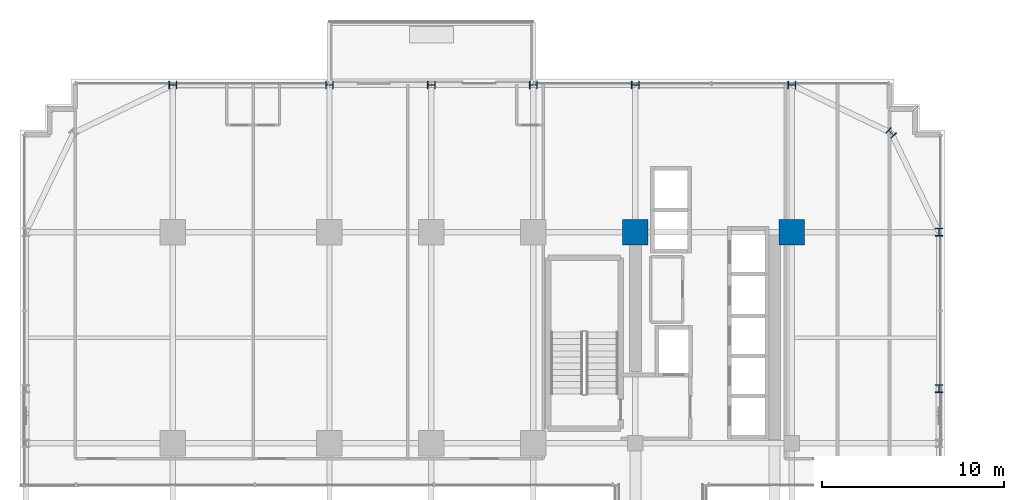
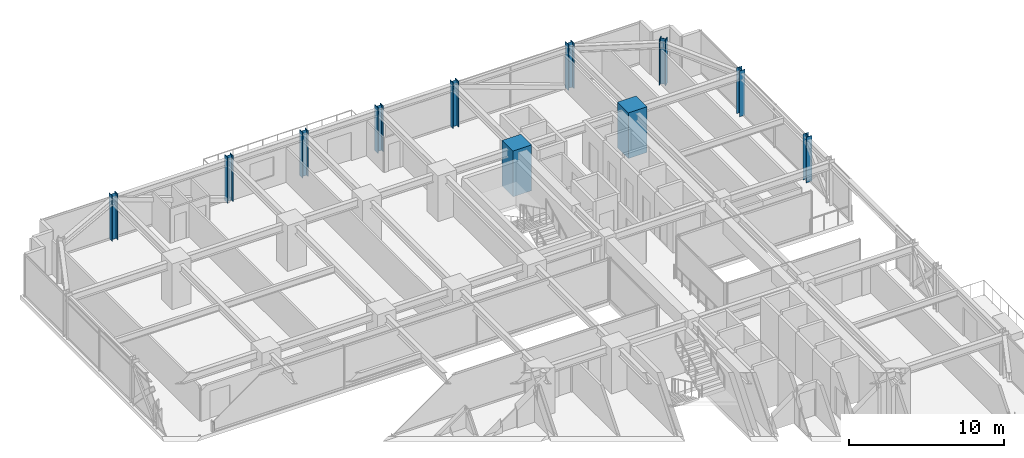
# One storey, part 2 of 47: 11 columns.
"""IFC4 building model written with IfcOpenShell, lengths in metres."""

from ifc_helpers import new_model, si_unit, direction, frame, origin, origin_2d, place, context, subcontext, project, spatial, rectangle, i_section, extrude, source, transform, mapped, material, material_profile, profile_set, type_object, element, save


model = new_model("IFC4")

# Units and contexts
model_context = context("Model", 3, precision=1e-05, world=origin(), true_north=direction((0.0, 1.0)))
body_context = subcontext(model_context, "Body", "Model", "MODEL_VIEW")
ifc_project = project(units=[si_unit("LENGTHUNIT", "METRE"), si_unit("AREAUNIT", "SQUARE_METRE"), si_unit("VOLUMEUNIT", "CUBIC_METRE"), si_unit("PLANEANGLEUNIT", "RADIAN"), si_unit("MASSUNIT", "GRAM", prefix="KILO")], contexts=[model_context])

# Site, building, storey
site_placement = place(None, origin())
site = spatial("IfcSite", under=ifc_project, at=site_placement, CompositionType="ELEMENT")
building_placement = place(site_placement, origin())
building = spatial("IfcBuilding", under=site, at=building_placement, Name="Nahalor Promenade Grand Hotel", CompositionType="ELEMENT")
storey_placement = place(building_placement, frame((0.0, 0.0, 68.89990234375)))
storey = spatial("IfcBuildingStorey", under=building, at=storey_placement, Name="L16", CompositionType="ELEMENT", Elevation=68.89990234375)

# Columns
ifc_material_1 = material(Name="Concrete B-70 (C60/75)", Category="concrete")
ifc_material_profile_1 = material_profile(ifc_material_1, rectangle(XDim=1.4, YDim=1.4, at=origin_2d()), Name="RC 1400x1400")
ifc_profile_set_1 = profile_set([ifc_material_profile_1], Name="Concrete B-70 (C60/75)")
column_type_1 = type_object("IfcColumnType", Name="Col-RC-1400", PredefinedType="COLUMN", material=ifc_profile_set_1)
shared_shape_1 = source(origin(), body_context, "Body", "SweptSolid", [
    extrude(rectangle(XDim=1.4, YDim=1.4, at=origin_2d()), origin(), (0.0, 0.0, 1.0), 3.60498046875),
])
for number, where, z_axis, x_axis, name in (
    (1, (8.39990234375, 17.0, 0.0), (0.0, 0.0, 1.0), (1.0, 0.0, 0.0), "COL-L16-I43"),
    (2, (17.0, 17.0, 0.0), (0.0, 0.0, 1.0), (1.0, 0.0, 0.0), "COL-L16-I53"),
):
    element("IfcColumn", number, at=place(storey_placement, frame(where, z_axis=z_axis, x_axis=x_axis)), inside=storey, type_object=column_type_1, Name=name, PredefinedType="COLUMN", context=body_context, shape_type="MappedRepresentation", body=[
        mapped(shared_shape_1, transform((0.0, 0.0, 0.0), scale=1.0)),
    ])
ifc_material_2 = material(Name="Steel S355J2", Category="steel")
ifc_material_profile_2 = material_profile(ifc_material_2, i_section(OverallWidth=0.412, OverallDepth=0.438, WebThickness=0.0226, FlangeThickness=0.0365, at=origin_2d()), Name="HD 400x463")
ifc_profile_set_2 = profile_set([ifc_material_profile_2], Name="Steel S355J2")
column_type_2 = type_object("IfcColumnType", Name="Col-Steel-HD463", PredefinedType="COLUMN", material=ifc_profile_set_2)
shared_shape_2 = source(origin(), body_context, "Body", "SweptSolid", [
    extrude(i_section(OverallWidth=0.412, OverallDepth=0.438, WebThickness=0.0226, FlangeThickness=0.0365, at=origin_2d()), origin(), (0.0, 0.0, 1.0), 3.60498046875),
])
for number, where, z_axis, x_axis, name in (
    (3, (25.080078125, 8.39990234375, 0.0), (0.0, 0.0, 1.0), (1.0, 0.0, 0.0), "COL-L16-PW-E4"),
    (4, (25.080078125, 17.0, 0.0), (0.0, 0.0, 1.0), (1.0, 0.0, 0.0), "COL-L16-PW-E5"),
    (5, (-17.0, 25.080078125, 0.0), (0.0, 0.0, 1.0), (0.0, 1.0, 0.0), "COL-L16-PN-N0"),
    (6, (-8.39990234375, 25.080078125, 0.0), (0.0, 0.0, 1.0), (0.0, 1.0, 0.0), "COL-L16-PN-N1"),
    (7, (-2.800048828125, 25.080078125, 0.0), (0.0, 0.0, 1.0), (0.0, 1.0, 0.0), "COL-L16-PN-N2"),
    (8, (2.800048828125, 25.080078125, 0.0), (0.0, 0.0, 1.0), (0.0, 1.0, 0.0), "COL-L16-PN-N3"),
    (9, (8.39990234375, 25.080078125, 0.0), (0.0, 0.0, 1.0), (0.0, 1.0, 0.0), "COL-L16-PN-N4"),
    (10, (17.0, 25.080078125, 0.0), (0.0, 0.0, 1.0), (0.0, 1.0, 0.0), "COL-L16-PN-N5"),
    (11, (22.449951171875, 22.449951171875, 0.0), (0.0, 0.0, 1.0), (0.707106781187, 0.707106781187, 0.0), "COL-L16-CRN-NE"),
):
    element("IfcColumn", number, at=place(storey_placement, frame(where, z_axis=z_axis, x_axis=x_axis)), inside=storey, type_object=column_type_2, Name=name, PredefinedType="COLUMN", context=body_context, shape_type="MappedRepresentation", body=[
        mapped(shared_shape_2, transform((0.0, 0.0, 0.0), scale=1.0)),
    ])

save(model, "model.ifc")
